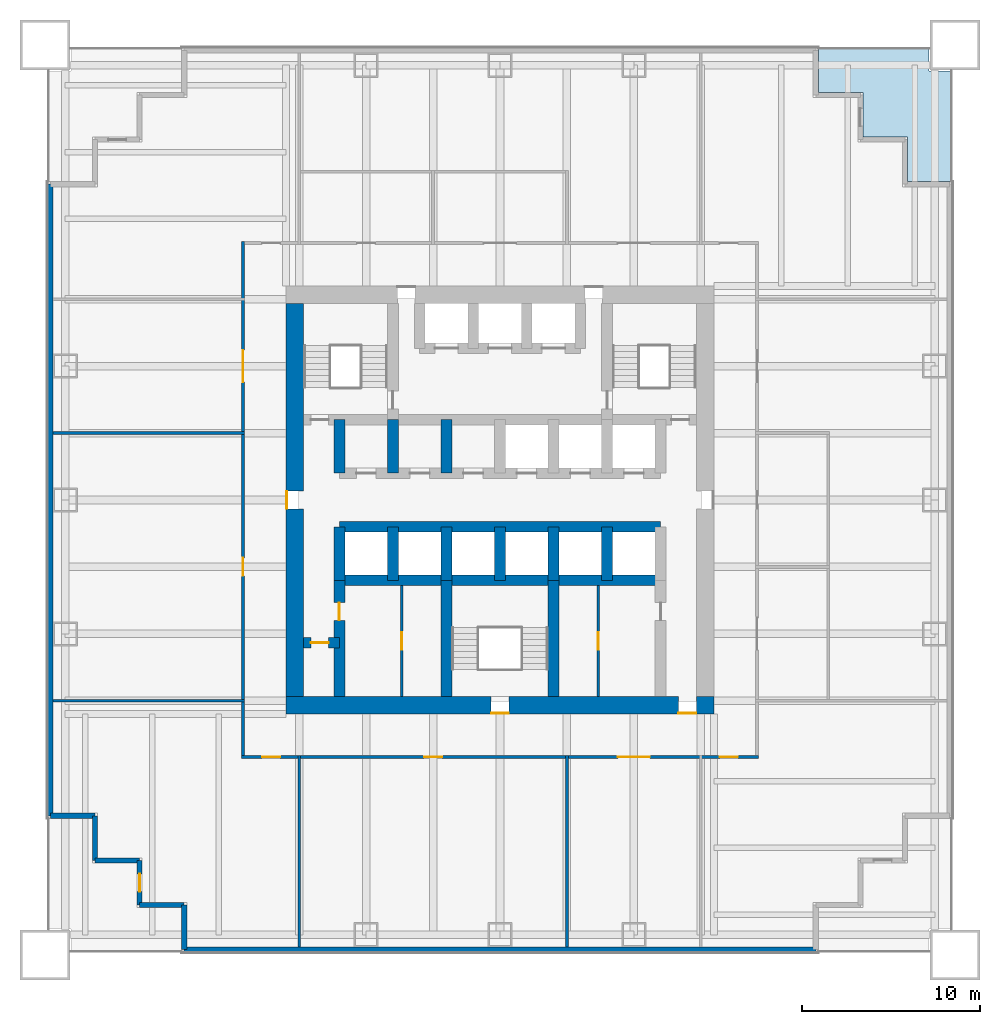
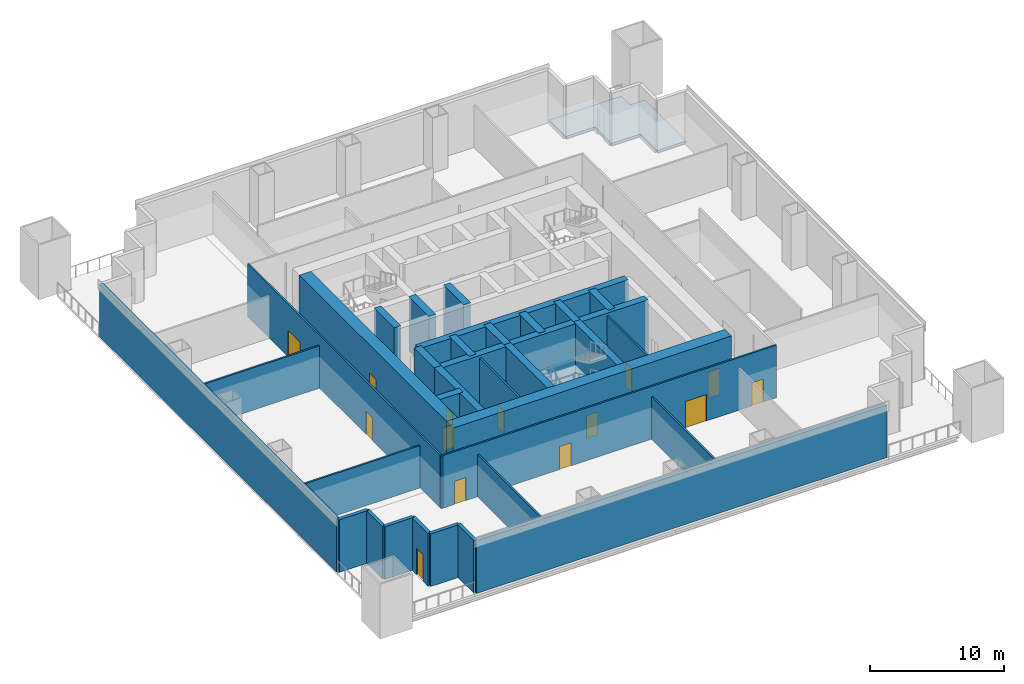
# One storey, part 2 of 6: 33 walls, 14 doors, 1 slab, 14 openings.
"""IFC4 building model written with IfcOpenShell, lengths in metres."""

from ifc_helpers import new_model, si_unit, direction, frame, frame_2d, origin, place, context, subcontext, project, spatial, polyline, rectangle, outline, extrude, material, layer, layer_set, type_object, element, fill, save


model = new_model("IFC4")

# Units and contexts
model_context = context("Model", 3, precision=1e-05, world=origin(), true_north=direction((0.0, 1.0)))
body_context = subcontext(model_context, "Body", "Model", "MODEL_VIEW")
ifc_project = project(units=[si_unit("LENGTHUNIT", "METRE"), si_unit("AREAUNIT", "SQUARE_METRE"), si_unit("VOLUMEUNIT", "CUBIC_METRE"), si_unit("PLANEANGLEUNIT", "RADIAN"), si_unit("MASSUNIT", "GRAM", prefix="KILO")], contexts=[model_context])

# Site, building, storey
site_placement = place(None, origin())
site = spatial("IfcSite", under=ifc_project, at=site_placement, CompositionType="ELEMENT")
building_placement = place(site_placement, origin())
building = spatial("IfcBuilding", under=site, at=building_placement, Name="Tarangal Relay Tower", CompositionType="ELEMENT")
storey_placement = place(building_placement, frame((0.0, 0.0, 53.39990234375)))
storey = spatial("IfcBuildingStorey", under=building, at=storey_placement, Name="L10", CompositionType="ELEMENT", Elevation=53.39990234375)

# Slab
ifc_material_1 = material(Name="Concrete fc' 35 MPa", Category="concrete")
ifc_layer_1 = layer(ifc_material_1, 0.199951171875)
ifc_layer_set_1 = layer_set([ifc_layer_1], Name="Terrace slab 200")
slab_type = type_object("IfcSlabType", Name="Terrace slab 200", PredefinedType="FLOOR", material=ifc_layer_set_1)
slab_placement = place(storey_placement, frame((0.0, 0.0, -0.199951171875)))
element("IfcSlab", 1, at=slab_placement, inside=storey, type_object=slab_type, Name="Corner terrace NE L10", PredefinedType="FLOOR", context=body_context, shape_type="SweptSolid", body=[
    extrude(outline(polyline([(17.85009765625, 25.35009765625), (17.85009765625, 22.85009765625), (20.35009765625, 22.85009765625), (20.35009765625, 20.35009765625), (22.85009765625, 20.35009765625), (22.85009765625, 17.85009765625), (25.35009765625, 17.85009765625), (25.35009765625, 24.050048828125), (24.050048828125, 24.050048828125), (24.050048828125, 25.35009765625), (17.85009765625, 25.35009765625)])), origin(), (0.0, 0.0, 1.0), 0.199951171875),
])

# Walls
ifc_material_2 = material(Name="Concrete fc' 60 MPa", Category="concrete")
ifc_layer_2 = layer(ifc_material_2, 0.60009765625)
ifc_layer_set_2 = layer_set([ifc_layer_2], Name="Core inner wall 600")
wall_type_1 = type_object("IfcWallType", Name="Core inner wall 600", PredefinedType="SHEAR", material=ifc_layer_set_2)
for number, where, z_axis, x_axis, name in (
    (2, (-9.0, -1.5, 0.0), (0.0, 0.0, 1.0), (1.0, 0.0, 0.0), "Core wall YM15 L10"),
    (3, (-9.0, -4.5, 0.0), (0.0, 0.0, 1.0), (1.0, 0.0, 0.0), "Core wall YM45 L10"),
):
    element("IfcWall", number, at=place(storey_placement, frame(where, z_axis=z_axis, x_axis=x_axis)), inside=storey, type_object=wall_type_1, Name=name, PredefinedType="SHEAR", context=body_context, shape_type="SweptSolid", body=[
        extrude(rectangle(XDim=18.0, YDim=0.60009765625, at=frame_2d((9.0, 0.0))), origin(), (0.0, 0.0, 1.0), 5.0),
    ])

# Wall, opening, door
wall_1_placement = place(storey_placement, frame((-11.0, -8.0, 0.0), z_axis=(0.0, 0.0, 1.0), x_axis=(1.0, 0.0, 0.0)))
wall_1 = element("IfcWall", 4, at=wall_1_placement, inside=storey, type_object=wall_type_1, Name="Core wall YM8 L10", PredefinedType="SHEAR", context=body_context, shape_type="SweptSolid", body=[
    extrude(rectangle(XDim=2.0, YDim=0.60009765625, at=frame_2d((1.0, 0.0))), origin(), (0.0, 0.0, 1.0), 5.0),
])
opening_1_placement = place(wall_1_placement, frame((0.39990234375, 0.0, 0.0)))
opening_1 = element("IfcOpeningElement", 5, at=opening_1_placement, cuts=wall_1, Name="Opening D1", PredefinedType="OPENING", context=body_context, shape_type="SweptSolid", body=[
    extrude(rectangle(XDim=1.0, YDim=2.10009765625, at=frame_2d((0.5, 1.050048828125))), frame((0.0, 0.31005859375, 0.0), z_axis=(0.0, -1.0, 0.0), x_axis=(1.0, 0.0, 0.0)), (0.0, 0.0, 1.0), 0.6201171875),
])
ifc_material_3 = material(Name="Hardwood door", Category="wood")
door_type_1 = type_object("IfcDoorType", Name="WC door 1000 x 2100", OperationType="SINGLE_SWING_LEFT", PredefinedType="DOOR", material=ifc_material_3)
door_1_placement = place(opening_1_placement, origin())
door_1 = element("IfcDoor", 6, at=door_1_placement, inside=storey, type_object=door_type_1, Name="Accessible WC door L10", OperationType="SINGLE_SWING_LEFT", OverallHeight=2.10009765625, OverallWidth=1.0, PredefinedType="DOOR", context=body_context, shape_type="SweptSolid", body=[
    extrude(rectangle(XDim=1.0, YDim=2.10009765625, at=frame_2d((0.5, 1.050048828125))), frame((0.0, 0.02490234375, 0.0), z_axis=(0.0, -1.0, 0.0), x_axis=(1.0, 0.0, 0.0)), (0.0, 0.0, 1.0), 0.050048828125),
])
fill(opening_1, door_1)

# Walls
for number, where, z_axis, x_axis, name in (
    (7, (-9.0, 1.5, 0.0), (0.0, 0.0, 1.0), (0.0, 1.0, 0.0), "Core wall XM9N L10"),
    (8, (-9.0, -4.5, 0.0), (0.0, 0.0, 1.0), (0.0, 1.0, 0.0), "Core wall XM9S L10"),
    (9, (-6.0, 1.5, 0.0), (0.0, 0.0, 1.0), (0.0, 1.0, 0.0), "Core wall XM6N L10"),
    (10, (-3.0, 1.5, 0.0), (0.0, 0.0, 1.0), (0.0, 1.0, 0.0), "Core wall XM3N L10"),
    (11, (-6.0, -4.5, 0.0), (0.0, 0.0, 1.0), (0.0, 1.0, 0.0), "Core wall XM6S L10"),
    (12, (-3.0, -4.5, 0.0), (0.0, 0.0, 1.0), (0.0, 1.0, 0.0), "Core wall XM3S L10"),
    (13, (0.0, -4.5, 0.0), (0.0, 0.0, 1.0), (0.0, 1.0, 0.0), "Core wall X0S L10"),
    (14, (3.0, -4.5, 0.0), (0.0, 0.0, 1.0), (0.0, 1.0, 0.0), "Core wall X3S L10"),
    (15, (6.0, -4.5, 0.0), (0.0, 0.0, 1.0), (0.0, 1.0, 0.0), "Core wall X6S L10"),
):
    element("IfcWall", number, at=place(storey_placement, frame(where, z_axis=z_axis, x_axis=x_axis)), inside=storey, type_object=wall_type_1, Name=name, PredefinedType="SHEAR", context=body_context, shape_type="SweptSolid", body=[
        extrude(rectangle(XDim=3.0, YDim=0.60009765625, at=frame_2d((1.5, 0.0))), origin(), (0.0, 0.0, 1.0), 5.0),
    ])

# Wall, opening, door
wall_2_placement = place(storey_placement, frame((-9.0, -11.0, 0.0), z_axis=(0.0, 0.0, 1.0), x_axis=(0.0, 1.0, 0.0)))
wall_2 = element("IfcWall", 16, at=wall_2_placement, inside=storey, type_object=wall_type_1, Name="Core wall XM9W L10", PredefinedType="SHEAR", context=body_context, shape_type="SweptSolid", body=[
    extrude(rectangle(XDim=6.5, YDim=0.60009765625, at=frame_2d((3.25, 0.0))), origin(), (0.0, 0.0, 1.0), 5.0),
])
opening_2_placement = place(wall_2_placement, frame((4.25, 0.0, 0.0)))
opening_2 = element("IfcOpeningElement", 17, at=opening_2_placement, cuts=wall_2, Name="Opening D1", PredefinedType="OPENING", context=body_context, shape_type="SweptSolid", body=[
    extrude(rectangle(XDim=1.0, YDim=2.10009765625, at=frame_2d((0.5, 1.050048828125))), frame((0.0, 0.31005859375, 0.0), z_axis=(0.0, -1.0, 0.0), x_axis=(1.0, 0.0, 0.0)), (0.0, 0.0, 1.0), 0.6201171875),
])
door_2_placement = place(opening_2_placement, origin())
door_2 = element("IfcDoor", 18, at=door_2_placement, inside=storey, type_object=door_type_1, Name="Male WC door L10", OperationType="SINGLE_SWING_LEFT", OverallHeight=2.10009765625, OverallWidth=1.0, PredefinedType="DOOR", context=body_context, shape_type="SweptSolid", body=[
    extrude(rectangle(XDim=1.0, YDim=2.10009765625, at=frame_2d((0.5, 1.050048828125))), frame((0.0, 0.02490234375, 0.0), z_axis=(0.0, -1.0, 0.0), x_axis=(1.0, 0.0, 0.0)), (0.0, 0.0, 1.0), 0.050048828125),
])
fill(opening_2, door_2)

# Walls
for number, where, z_axis, x_axis, name in (
    (19, (-3.0, -11.0, 0.0), (0.0, 0.0, 1.0), (0.0, 1.0, 0.0), "Core wall XM3W L10"),
    (20, (3.0, -11.0, 0.0), (0.0, 0.0, 1.0), (0.0, 1.0, 0.0), "Core wall X3W L10"),
):
    element("IfcWall", number, at=place(storey_placement, frame(where, z_axis=z_axis, x_axis=x_axis)), inside=storey, type_object=wall_type_1, Name=name, PredefinedType="SHEAR", context=body_context, shape_type="SweptSolid", body=[
        extrude(rectangle(XDim=6.5, YDim=0.60009765625, at=frame_2d((3.25, 0.0))), origin(), (0.0, 0.0, 1.0), 5.0),
    ])

# Wall, openings, doors
ifc_layer_3 = layer(ifc_material_2, 1.0)
ifc_layer_set_3 = layer_set([ifc_layer_3], Name="Core wall 1000")
wall_type_2 = type_object("IfcWallType", Name="Core wall 1000", PredefinedType="SHEAR", material=ifc_layer_set_3)
wall_3_placement = place(storey_placement, frame((12.0, -11.5, 0.0), z_axis=(0.0, 0.0, 1.0), x_axis=(-1.0, 0.0, 0.0)))
wall_3 = element("IfcWall", 21, at=wall_3_placement, inside=storey, type_object=wall_type_2, Name="Core wall S L10", PredefinedType="SHEAR", context=body_context, shape_type="SweptSolid", body=[
    extrude(rectangle(XDim=24.0, YDim=1.0, at=frame_2d((12.0, 0.0))), origin(), (0.0, 0.0, 1.0), 5.0),
])
opening_3_placement = place(wall_3_placement, frame((11.5, 0.0, 0.0)))
opening_3 = element("IfcOpeningElement", 22, at=opening_3_placement, cuts=wall_3, Name="Opening FD1", PredefinedType="OPENING", context=body_context, shape_type="SweptSolid", body=[
    extrude(rectangle(XDim=1.0, YDim=2.10009765625, at=frame_2d((0.5, 1.050048828125))), frame((0.0, 0.510009765625, 0.0), z_axis=(0.0, -1.0, 0.0), x_axis=(1.0, 0.0, 0.0)), (0.0, 0.0, 1.0), 1.02001953125),
])
opening_4_placement = place(wall_3_placement, frame((1.0, 0.0, 0.0)))
opening_4 = element("IfcOpeningElement", 23, at=opening_4_placement, cuts=wall_3, Name="Opening FD3", PredefinedType="OPENING", context=body_context, shape_type="SweptSolid", body=[
    extrude(rectangle(XDim=1.0, YDim=2.39990234375, at=frame_2d((0.5, 1.199951171875))), frame((0.0, 0.510009765625, 0.0), z_axis=(0.0, -1.0, 0.0), x_axis=(1.0, 0.0, 0.0)), (0.0, 0.0, 1.0), 1.02001953125),
])
ifc_material_4 = material(Name="Steel door with hardwood frame", Category="steel")
door_type_2 = type_object("IfcDoorType", Name="Fire door 1000 x 2100", OperationType="SINGLE_SWING_LEFT", PredefinedType="DOOR", material=ifc_material_4)
door_3_placement = place(opening_3_placement, origin())
door_3 = element("IfcDoor", 24, at=door_3_placement, inside=storey, type_object=door_type_2, Name="Stair ST-C door L10", OperationType="SINGLE_SWING_LEFT", OverallHeight=2.10009765625, OverallWidth=1.0, PredefinedType="DOOR", context=body_context, shape_type="SweptSolid", body=[
    extrude(rectangle(XDim=1.0, YDim=2.10009765625, at=frame_2d((0.5, 1.050048828125))), frame((0.0, 0.48486328125, 0.0), z_axis=(0.0, -1.0, 0.0), x_axis=(1.0, 0.0, 0.0)), (0.0, 0.0, 1.0), 0.050048828125),
])
fill(opening_3, door_3)
door_type_3 = type_object("IfcDoorType", Name="Fire door 1000 x 2400 core entry", OperationType="SINGLE_SWING_RIGHT", PredefinedType="DOOR", material=ifc_material_4)
door_4_placement = place(opening_4_placement, origin())
door_4 = element("IfcDoor", 25, at=door_4_placement, inside=storey, type_object=door_type_3, Name="Core entry door south east L10", OperationType="SINGLE_SWING_RIGHT", OverallHeight=2.39990234375, OverallWidth=1.0, PredefinedType="DOOR", context=body_context, shape_type="SweptSolid", body=[
    extrude(rectangle(XDim=1.0, YDim=2.39990234375, at=frame_2d((0.5, 1.199951171875))), frame((0.0, 0.48486328125, 0.0), z_axis=(0.0, -1.0, 0.0), x_axis=(1.0, 0.0, 0.0)), (0.0, 0.0, 1.0), 0.050048828125),
])
fill(opening_4, door_4)

# Wall, opening, door
wall_4_placement = place(storey_placement, frame((-11.5, -11.0, 0.0), z_axis=(0.0, 0.0, 1.0), x_axis=(0.0, 1.0, 0.0)))
wall_4 = element("IfcWall", 26, at=wall_4_placement, inside=storey, type_object=wall_type_2, Name="Core wall W L10", PredefinedType="SHEAR", context=body_context, shape_type="SweptSolid", body=[
    extrude(rectangle(XDim=22.0, YDim=1.0, at=frame_2d((11.0, 0.0))), origin(), (0.0, 0.0, 1.0), 5.0),
])
opening_5_placement = place(wall_4_placement, frame((10.5, 0.0, 0.0)))
opening_5 = element("IfcOpeningElement", 27, at=opening_5_placement, cuts=wall_4, Name="Opening FD3", PredefinedType="OPENING", context=body_context, shape_type="SweptSolid", body=[
    extrude(rectangle(XDim=1.0, YDim=2.39990234375, at=frame_2d((0.5, 1.199951171875))), frame((0.0, 0.510009765625, 0.0), z_axis=(0.0, -1.0, 0.0), x_axis=(1.0, 0.0, 0.0)), (0.0, 0.0, 1.0), 1.02001953125),
])
door_5_placement = place(opening_5_placement, origin())
door_5 = element("IfcDoor", 28, at=door_5_placement, inside=storey, type_object=door_type_3, Name="Core entry door west L10", OperationType="SINGLE_SWING_RIGHT", OverallHeight=2.39990234375, OverallWidth=1.0, PredefinedType="DOOR", context=body_context, shape_type="SweptSolid", body=[
    extrude(rectangle(XDim=1.0, YDim=2.39990234375, at=frame_2d((0.5, 1.199951171875))), frame((0.0, 0.48486328125, 0.0), z_axis=(0.0, -1.0, 0.0), x_axis=(1.0, 0.0, 0.0)), (0.0, 0.0, 1.0), 0.050048828125),
])
fill(opening_5, door_5)

# Walls
ifc_material_5 = material(Name="Insulated precast concrete fc' 40 MPa", Category="concrete")
ifc_layer_4 = layer(ifc_material_5, 0.300048828125)
ifc_layer_set_4 = layer_set([ifc_layer_4], Name="Insulated precast concrete fc' 40 MPa")
wall_type_3 = type_object("IfcWallType", Name="Facade wall precast 300", PredefinedType="SOLIDWALL", material=ifc_layer_set_4)
wall_5_placement = place(storey_placement, frame((17.699951171875, -25.199951171875, 0.0), z_axis=(0.0, 0.0, 1.0), x_axis=(-1.0, 0.0, 0.0)))
element("IfcWall", 29, at=wall_5_placement, inside=storey, type_object=wall_type_3, Name="Facade wall S facade L10", PredefinedType="SOLIDWALL", context=body_context, shape_type="SweptSolid", body=[
    extrude(rectangle(XDim=35.39990234375, YDim=0.300048828125, at=frame_2d((17.699951171875, 0.0))), origin(), (0.0, 0.0, 1.0), 4.800048828125),
])
for number, where, z_axis, x_axis, name in (
    (30, (-17.699951171875, -25.199951171875, 0.0), (0.0, 0.0, 1.0), (0.0, 1.0, 0.0), "Facade wall S facade L10"),
    (31, (-17.699951171875, -22.699951171875, 0.0), (0.0, 0.0, 1.0), (-1.0, 0.0, 0.0), "Facade wall S facade L10"),
):
    element("IfcWall", number, at=place(storey_placement, frame(where, z_axis=z_axis, x_axis=x_axis)), inside=storey, type_object=wall_type_3, Name=name, PredefinedType="SOLIDWALL", context=body_context, shape_type="SweptSolid", body=[
        extrude(rectangle(XDim=2.5, YDim=0.300048828125, at=frame_2d((1.25, 0.0))), origin(), (0.0, 0.0, 1.0), 4.800048828125),
    ])

# Wall, opening, door
wall_6_placement = place(storey_placement, frame((-20.199951171875, -22.699951171875, 0.0), z_axis=(0.0, 0.0, 1.0), x_axis=(0.0, 1.0, 0.0)))
wall_6 = element("IfcWall", 32, at=wall_6_placement, inside=storey, type_object=wall_type_3, Name="Facade wall S facade L10", PredefinedType="SOLIDWALL", context=body_context, shape_type="SweptSolid", body=[
    extrude(rectangle(XDim=2.5, YDim=0.300048828125, at=frame_2d((1.25, 0.0))), origin(), (0.0, 0.0, 1.0), 4.800048828125),
])
opening_6_placement = place(wall_6_placement, frame((0.75, 0.0, 0.0)))
opening_6 = element("IfcOpeningElement", 33, at=opening_6_placement, cuts=wall_6, Name="Opening TD1", PredefinedType="OPENING", context=body_context, shape_type="SweptSolid", body=[
    extrude(rectangle(XDim=1.0, YDim=2.39990234375, at=frame_2d((0.5, 1.199951171875))), frame((0.0, 0.159912109375, 0.0), z_axis=(0.0, -1.0, 0.0), x_axis=(1.0, 0.0, 0.0)), (0.0, 0.0, 1.0), 0.320068359375),
])
ifc_material_6 = material(Name="Aluminium glazed door", Category="aluminium")
door_type_4 = type_object("IfcDoorType", Name="Terrace door 1000 x 2400", OperationType="SINGLE_SWING_RIGHT", PredefinedType="DOOR", material=ifc_material_6)
door_6_placement = place(opening_6_placement, origin())
door_6 = element("IfcDoor", 34, at=door_6_placement, inside=storey, type_object=door_type_4, Name="Terrace door TD1 SW L10", OperationType="SINGLE_SWING_RIGHT", OverallHeight=2.39990234375, OverallWidth=1.0, PredefinedType="DOOR", context=body_context, shape_type="SweptSolid", body=[
    extrude(rectangle(XDim=1.0, YDim=2.39990234375, at=frame_2d((0.5, 1.199951171875))), frame((0.0, 0.02490234375, 0.0), z_axis=(0.0, -1.0, 0.0), x_axis=(1.0, 0.0, 0.0)), (0.0, 0.0, 1.0), 0.050048828125),
])
fill(opening_6, door_6)

# Walls
for number, where, z_axis, x_axis, name in (
    (35, (-20.199951171875, -20.199951171875, 0.0), (0.0, 0.0, 1.0), (-1.0, 0.0, 0.0), "Facade wall S facade L10"),
    (36, (-22.699951171875, -20.199951171875, 0.0), (0.0, 0.0, 1.0), (0.0, 1.0, 0.0), "Facade wall S facade L10"),
    (37, (-22.699951171875, -17.699951171875, 0.0), (0.0, 0.0, 1.0), (-1.0, 0.0, 0.0), "Facade wall S facade L10"),
):
    element("IfcWall", number, at=place(storey_placement, frame(where, z_axis=z_axis, x_axis=x_axis)), inside=storey, type_object=wall_type_3, Name=name, PredefinedType="SOLIDWALL", context=body_context, shape_type="SweptSolid", body=[
        extrude(rectangle(XDim=2.5, YDim=0.300048828125, at=frame_2d((1.25, 0.0))), origin(), (0.0, 0.0, 1.0), 4.800048828125),
    ])
wall_7_placement = place(storey_placement, frame((-25.199951171875, -17.699951171875, 0.0), z_axis=(0.0, 0.0, 1.0), x_axis=(0.0, 1.0, 0.0)))
element("IfcWall", 38, at=wall_7_placement, inside=storey, type_object=wall_type_3, Name="Facade wall W facade L10", PredefinedType="SOLIDWALL", context=body_context, shape_type="SweptSolid", body=[
    extrude(rectangle(XDim=35.39990234375, YDim=0.300048828125, at=frame_2d((17.699951171875, 0.0))), origin(), (0.0, 0.0, 1.0), 4.800048828125),
])

# Wall, openings, doors
ifc_material_7 = material(Name="Gypsum board on steel studs", Category="steel")
ifc_layer_5 = layer(ifc_material_7, 0.14990234375)
ifc_layer_set_5 = layer_set([ifc_layer_5], Name="Partition 150")
wall_type_4 = type_object("IfcWallType", Name="Partition 150", PredefinedType="PARTITIONING", material=ifc_layer_set_5)
wall_8_placement = place(storey_placement, frame((-14.47509765625, -14.39990234375, 0.0), z_axis=(0.0, 0.0, 1.0), x_axis=(1.0, 0.0, 0.0)))
wall_8 = element("IfcWall", 39, at=wall_8_placement, inside=storey, type_object=wall_type_4, Name="Partition PT1 L10", PredefinedType="PARTITIONING", context=body_context, shape_type="SweptSolid", body=[
    extrude(rectangle(XDim=28.9501953125, YDim=0.14990234375, at=frame_2d((14.47509765625, 0.0))), origin(), (0.0, 0.0, 1.0), 4.800048828125),
])
opening_7_placement = place(wall_8_placement, frame((21.074951171875, 0.0, 0.0)))
opening_7 = element("IfcOpeningElement", 40, at=opening_7_placement, cuts=wall_8, Name="Opening DD1", PredefinedType="OPENING", context=body_context, shape_type="SweptSolid", body=[
    extrude(rectangle(XDim=1.800048828125, YDim=2.39990234375, at=frame_2d((0.89990234375, 1.199951171875))), frame((0.0, 0.0849609375, 0.0), z_axis=(0.0, -1.0, 0.0), x_axis=(1.0, 0.0, 0.0)), (0.0, 0.0, 1.0), 0.169921875),
])
opening_8_placement = place(wall_8_placement, frame((10.22509765625, 0.0, 0.0)))
opening_8 = element("IfcOpeningElement", 41, at=opening_8_placement, cuts=wall_8, Name="Opening D2", PredefinedType="OPENING", context=body_context, shape_type="SweptSolid", body=[
    extrude(rectangle(XDim=1.0, YDim=2.10009765625, at=frame_2d((0.5, 1.050048828125))), frame((0.0, 0.0849609375, 0.0), z_axis=(0.0, -1.0, 0.0), x_axis=(1.0, 0.0, 0.0)), (0.0, 0.0, 1.0), 0.169921875),
])
opening_9_placement = place(wall_8_placement, frame((26.800048828125, 0.0, 0.0)))
opening_9 = element("IfcOpeningElement", 42, at=opening_9_placement, cuts=wall_8, Name="Opening D2", PredefinedType="OPENING", context=body_context, shape_type="SweptSolid", body=[
    extrude(rectangle(XDim=1.0, YDim=2.10009765625, at=frame_2d((0.5, 1.050048828125))), frame((0.0, 0.0849609375, 0.0), z_axis=(0.0, -1.0, 0.0), x_axis=(1.0, 0.0, 0.0)), (0.0, 0.0, 1.0), 0.169921875),
])
opening_10_placement = place(wall_8_placement, frame((1.14990234375, 0.0, 0.0)))
opening_10 = element("IfcOpeningElement", 43, at=opening_10_placement, cuts=wall_8, Name="Opening D2", PredefinedType="OPENING", context=body_context, shape_type="SweptSolid", body=[
    extrude(rectangle(XDim=1.0, YDim=2.10009765625, at=frame_2d((0.5, 1.050048828125))), frame((0.0, 0.0849609375, 0.0), z_axis=(0.0, -1.0, 0.0), x_axis=(1.0, 0.0, 0.0)), (0.0, 0.0, 1.0), 0.169921875),
])
door_type_5 = type_object("IfcDoorType", Name="Door 1000 x 2100", OperationType="SINGLE_SWING_LEFT", PredefinedType="DOOR", material=ifc_material_3)
door_7_placement = place(opening_8_placement, origin())
door_7 = element("IfcDoor", 44, at=door_7_placement, inside=storey, type_object=door_type_5, Name="Door D2 to rack build and test room L10-09", OperationType="SINGLE_SWING_LEFT", OverallHeight=2.10009765625, OverallWidth=1.0, PredefinedType="DOOR", context=body_context, shape_type="SweptSolid", body=[
    extrude(rectangle(XDim=1.0, YDim=2.10009765625, at=frame_2d((0.5, 1.050048828125))), frame((0.0, 0.02490234375, 0.0), z_axis=(0.0, -1.0, 0.0), x_axis=(1.0, 0.0, 0.0)), (0.0, 0.0, 1.0), 0.050048828125),
])
fill(opening_8, door_7)
door_8_placement = place(opening_9_placement, origin())
door_8 = element("IfcDoor", 45, at=door_8_placement, inside=storey, type_object=door_type_5, Name="Door D2 to maintenance workshop L10-13", OperationType="SINGLE_SWING_LEFT", OverallHeight=2.10009765625, OverallWidth=1.0, PredefinedType="DOOR", context=body_context, shape_type="SweptSolid", body=[
    extrude(rectangle(XDim=1.0, YDim=2.10009765625, at=frame_2d((0.5, 1.050048828125))), frame((0.0, 0.02490234375, 0.0), z_axis=(0.0, -1.0, 0.0), x_axis=(1.0, 0.0, 0.0)), (0.0, 0.0, 1.0), 0.050048828125),
])
fill(opening_9, door_8)
door_9_placement = place(opening_10_placement, origin())
door_9 = element("IfcDoor", 46, at=door_9_placement, inside=storey, type_object=door_type_5, Name="Door D2 to security office L10-14", OperationType="SINGLE_SWING_LEFT", OverallHeight=2.10009765625, OverallWidth=1.0, PredefinedType="DOOR", context=body_context, shape_type="SweptSolid", body=[
    extrude(rectangle(XDim=1.0, YDim=2.10009765625, at=frame_2d((0.5, 1.050048828125))), frame((0.0, 0.02490234375, 0.0), z_axis=(0.0, -1.0, 0.0), x_axis=(1.0, 0.0, 0.0)), (0.0, 0.0, 1.0), 0.050048828125),
])
fill(opening_10, door_9)
door_type_6 = type_object("IfcDoorType", Name="Equipment double door 1800 x 2400", OperationType="DOUBLE_DOOR_SINGLE_SWING", PredefinedType="DOOR", material=ifc_material_4)
door_10_placement = place(opening_7_placement, origin())
door_10 = element("IfcDoor", 47, at=door_10_placement, inside=storey, type_object=door_type_6, Name="Door DD1 to electrical room L10-08", OperationType="DOUBLE_DOOR_SINGLE_SWING", OverallHeight=2.39990234375, OverallWidth=1.800048828125, PredefinedType="DOOR", context=body_context, shape_type="SweptSolid", body=[
    extrude(rectangle(XDim=1.800048828125, YDim=2.39990234375, at=frame_2d((0.89990234375, 1.199951171875))), frame((0.0, 0.02490234375, 0.0), z_axis=(0.0, -1.0, 0.0), x_axis=(1.0, 0.0, 0.0)), (0.0, 0.0, 1.0), 0.050048828125),
])
fill(opening_7, door_10)

# Walls
for number, where, z_axis, x_axis, name in (
    (48, (-25.050048828125, -11.25, 0.0), (0.0, 0.0, 1.0), (1.0, 0.0, 0.0), "Partition PT1 L10"),
    (49, (-25.050048828125, 3.75, 0.0), (0.0, 0.0, 1.0), (1.0, 0.0, 0.0), "Partition PT1 L10"),
):
    element("IfcWall", number, at=place(storey_placement, frame(where, z_axis=z_axis, x_axis=x_axis)), inside=storey, type_object=wall_type_4, Name=name, PredefinedType="PARTITIONING", context=body_context, shape_type="SweptSolid", body=[
        extrude(rectangle(XDim=10.72509765625, YDim=0.14990234375, at=frame_2d((5.362548828125, 0.0))), origin(), (0.0, 0.0, 1.0), 3.852783203125),
    ])

# Wall, openings, doors
wall_9_placement = place(storey_placement, frame((-14.39990234375, -14.47509765625, 0.0), z_axis=(0.0, 0.0, 1.0), x_axis=(0.0, 1.0, 0.0)))
wall_9 = element("IfcWall", 50, at=wall_9_placement, inside=storey, type_object=wall_type_4, Name="Partition PT1 L10", PredefinedType="PARTITIONING", context=body_context, shape_type="SweptSolid", body=[
    extrude(rectangle(XDim=28.9501953125, YDim=0.14990234375, at=frame_2d((14.47509765625, 0.0))), origin(), (0.0, 0.0, 1.0), 4.800048828125),
])
opening_11_placement = place(wall_9_placement, frame((10.22509765625, 0.0, 0.0)))
opening_11 = element("IfcOpeningElement", 51, at=opening_11_placement, cuts=wall_9, Name="Opening D2", PredefinedType="OPENING", context=body_context, shape_type="SweptSolid", body=[
    extrude(rectangle(XDim=1.0, YDim=2.10009765625, at=frame_2d((0.5, 1.050048828125))), frame((0.0, 0.0849609375, 0.0), z_axis=(0.0, -1.0, 0.0), x_axis=(1.0, 0.0, 0.0)), (0.0, 0.0, 1.0), 0.169921875),
])
opening_12_placement = place(wall_9_placement, frame((21.074951171875, 0.0, 0.0)))
opening_12 = element("IfcOpeningElement", 52, at=opening_12_placement, cuts=wall_9, Name="Opening DD1", PredefinedType="OPENING", context=body_context, shape_type="SweptSolid", body=[
    extrude(rectangle(XDim=1.800048828125, YDim=2.39990234375, at=frame_2d((0.89990234375, 1.199951171875))), frame((0.0, 0.0849609375, 0.0), z_axis=(0.0, -1.0, 0.0), x_axis=(1.0, 0.0, 0.0)), (0.0, 0.0, 1.0), 0.169921875),
])
door_11_placement = place(opening_11_placement, origin())
door_11 = element("IfcDoor", 53, at=door_11_placement, inside=storey, type_object=door_type_5, Name="Door D2 to tape library room L10-10", OperationType="SINGLE_SWING_LEFT", OverallHeight=2.10009765625, OverallWidth=1.0, PredefinedType="DOOR", context=body_context, shape_type="SweptSolid", body=[
    extrude(rectangle(XDim=1.0, YDim=2.10009765625, at=frame_2d((0.5, 1.050048828125))), frame((0.0, 0.02490234375, 0.0), z_axis=(0.0, -1.0, 0.0), x_axis=(1.0, 0.0, 0.0)), (0.0, 0.0, 1.0), 0.050048828125),
])
fill(opening_11, door_11)
door_12_placement = place(opening_12_placement, origin())
door_12 = element("IfcDoor", 54, at=door_12_placement, inside=storey, type_object=door_type_6, Name="Door DD1 to gas suppression cylinder room L10-11", OperationType="DOUBLE_DOOR_SINGLE_SWING", OverallHeight=2.39990234375, OverallWidth=1.800048828125, PredefinedType="DOOR", context=body_context, shape_type="SweptSolid", body=[
    extrude(rectangle(XDim=1.800048828125, YDim=2.39990234375, at=frame_2d((0.89990234375, 1.199951171875))), frame((0.0, 0.02490234375, 0.0), z_axis=(0.0, -1.0, 0.0), x_axis=(1.0, 0.0, 0.0)), (0.0, 0.0, 1.0), 0.050048828125),
])
fill(opening_12, door_12)

# Walls
for number, where, z_axis, x_axis, name in (
    (55, (-11.25, -25.050048828125, 0.0), (0.0, 0.0, 1.0), (0.0, 1.0, 0.0), "Partition PT1 L10"),
    (56, (3.75, -25.050048828125, 0.0), (0.0, 0.0, 1.0), (0.0, 1.0, 0.0), "Partition PT1 L10"),
):
    element("IfcWall", number, at=place(storey_placement, frame(where, z_axis=z_axis, x_axis=x_axis)), inside=storey, type_object=wall_type_4, Name=name, PredefinedType="PARTITIONING", context=body_context, shape_type="SweptSolid", body=[
        extrude(rectangle(XDim=10.72509765625, YDim=0.14990234375, at=frame_2d((5.362548828125, 0.0))), origin(), (0.0, 0.0, 1.0), 3.852783203125),
    ])

# Wall, opening, door
wall_10_placement = place(storey_placement, frame((-5.5, -11.0, 0.0), z_axis=(0.0, 0.0, 1.0), x_axis=(0.0, 1.0, 0.0)))
wall_10 = element("IfcWall", 57, at=wall_10_placement, inside=storey, type_object=wall_type_4, Name="Partition PT1 L10", PredefinedType="PARTITIONING", context=body_context, shape_type="SweptSolid", body=[
    extrude(rectangle(XDim=6.199951171875, YDim=0.14990234375, at=frame_2d((3.10009765625, 0.0))), origin(), (0.0, 0.0, 1.0), 4.75),
])
opening_13_placement = place(wall_10_placement, frame((2.60009765625, 0.0, 0.0)))
opening_13 = element("IfcOpeningElement", 58, at=opening_13_placement, cuts=wall_10, Name="Opening D1", PredefinedType="OPENING", context=body_context, shape_type="SweptSolid", body=[
    extrude(rectangle(XDim=1.0, YDim=2.10009765625, at=frame_2d((0.5, 1.050048828125))), frame((0.0, 0.0849609375, 0.0), z_axis=(0.0, -1.0, 0.0), x_axis=(1.0, 0.0, 0.0)), (0.0, 0.0, 1.0), 0.169921875),
])
door_13_placement = place(opening_13_placement, origin())
door_13 = element("IfcDoor", 59, at=door_13_placement, inside=storey, type_object=door_type_1, Name="Door D1 to male shower and changing room L10-C7B", OperationType="SINGLE_SWING_LEFT", OverallHeight=2.10009765625, OverallWidth=1.0, PredefinedType="DOOR", context=body_context, shape_type="SweptSolid", body=[
    extrude(rectangle(XDim=1.0, YDim=2.10009765625, at=frame_2d((0.5, 1.050048828125))), frame((0.0, 0.02490234375, 0.0), z_axis=(0.0, -1.0, 0.0), x_axis=(1.0, 0.0, 0.0)), (0.0, 0.0, 1.0), 0.050048828125),
])
fill(opening_13, door_13)

wall_11_placement = place(storey_placement, frame((5.5, -11.0, 0.0), z_axis=(0.0, 0.0, 1.0), x_axis=(0.0, 1.0, 0.0)))
wall_11 = element("IfcWall", 60, at=wall_11_placement, inside=storey, type_object=wall_type_4, Name="Partition PT1 L10", PredefinedType="PARTITIONING", context=body_context, shape_type="SweptSolid", body=[
    extrude(rectangle(XDim=6.199951171875, YDim=0.14990234375, at=frame_2d((3.10009765625, 0.0))), origin(), (0.0, 0.0, 1.0), 4.75),
])
opening_14_placement = place(wall_11_placement, frame((2.60009765625, 0.0, 0.0)))
opening_14 = element("IfcOpeningElement", 61, at=opening_14_placement, cuts=wall_11, Name="Opening D1", PredefinedType="OPENING", context=body_context, shape_type="SweptSolid", body=[
    extrude(rectangle(XDim=1.0, YDim=2.10009765625, at=frame_2d((0.5, 1.050048828125))), frame((0.0, 0.0849609375, 0.0), z_axis=(0.0, -1.0, 0.0), x_axis=(1.0, 0.0, 0.0)), (0.0, 0.0, 1.0), 0.169921875),
])
door_14_placement = place(opening_14_placement, origin())
door_14 = element("IfcDoor", 62, at=door_14_placement, inside=storey, type_object=door_type_1, Name="Door D1 to female shower and changing room L10-C10B", OperationType="SINGLE_SWING_LEFT", OverallHeight=2.10009765625, OverallWidth=1.0, PredefinedType="DOOR", context=body_context, shape_type="SweptSolid", body=[
    extrude(rectangle(XDim=1.0, YDim=2.10009765625, at=frame_2d((0.5, 1.050048828125))), frame((0.0, 0.02490234375, 0.0), z_axis=(0.0, -1.0, 0.0), x_axis=(1.0, 0.0, 0.0)), (0.0, 0.0, 1.0), 0.050048828125),
])
fill(opening_14, door_14)

save(model, "model.ifc")
